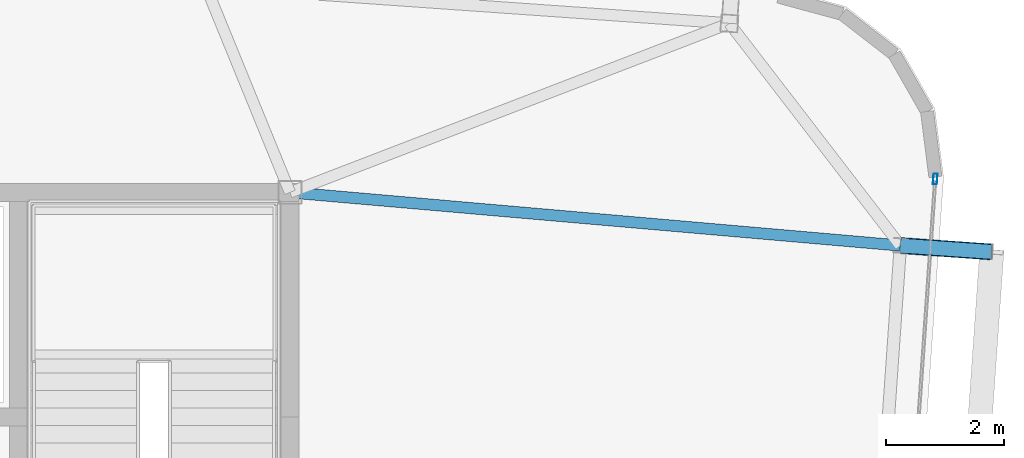
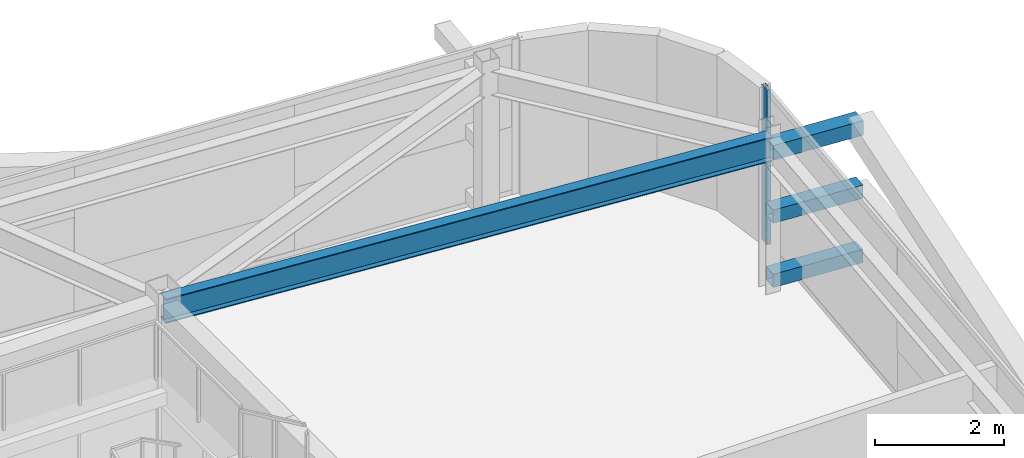
# One storey, part 18 of 39: 4 members, 1 beam, 1 element without a shape of its own.
"""IFC4 building model written with IfcOpenShell, lengths in metres."""

from ifc_helpers import new_model, si_unit, direction, frame, origin, origin_2d, place, context, subcontext, project, spatial, hollow_rectangle, i_section, extrude, source, transform, mapped, material, layer, layer_set, material_profile, profile_set, type_object, element, aggregate, save


model = new_model("IFC4")

# Units and contexts
model_context = context("Model", 3, precision=1e-05, world=origin(), true_north=direction((0.0, 1.0)))
body_context = subcontext(model_context, "Body", "Model", "MODEL_VIEW")
ifc_project = project(units=[si_unit("LENGTHUNIT", "METRE"), si_unit("AREAUNIT", "SQUARE_METRE"), si_unit("VOLUMEUNIT", "CUBIC_METRE"), si_unit("PLANEANGLEUNIT", "RADIAN"), si_unit("MASSUNIT", "GRAM", prefix="KILO")], contexts=[model_context])

# Site, building, storey
site_placement = place(None, origin())
site = spatial("IfcSite", under=ifc_project, at=site_placement, CompositionType="ELEMENT")
building_placement = place(site_placement, origin())
building = spatial("IfcBuilding", under=site, at=building_placement, Name="Taldren Reach Tower", CompositionType="ELEMENT")
storey_placement = place(building_placement, frame((0.0, 0.0, 155.050048828125)))
storey = spatial("IfcBuildingStorey", under=building, at=storey_placement, Name="L47", CompositionType="ELEMENT", Elevation=155.050048828125)

# Members
ifc_material_1 = material(Name="Steel Gr 450 (C450L0)", Category="steel")
ifc_material_profile_1 = material_profile(ifc_material_1, hollow_rectangle(XDim=0.27490234375, YDim=0.27490234375, WallThickness=0.00927734375, at=origin_2d()), Name="275x275x9.3SHS")
ifc_profile_set_1 = profile_set([ifc_material_profile_1], Name="Steel Gr 450 (C450L0)")
member_type_1 = type_object("IfcMemberType", Name="MB-TIE273", PredefinedType="STRUT", material=ifc_profile_set_1)
shared_shape_1 = source(origin(), body_context, "Body", "SweptSolid", [
    extrude(hollow_rectangle(XDim=0.27490234375, YDim=0.27490234375, WallThickness=0.00927734375, at=origin_2d()), origin(), (0.0, 0.0, 1.0), 1.550048828125),
])
member_1_placement = place(storey_placement, frame((61.3310546875, 31.1005859375, 2.64990234375), z_axis=(0.99756313426, -0.06976957191, 0.0), x_axis=(0.06976957191, 0.99756313426, 0.0)))
element("IfcMember", 1, at=member_1_placement, inside=storey, type_object=member_type_1, Name="Exoskeleton diaphragm tie strut B3-E3 L47", PredefinedType="STRUT", context=body_context, shape_type="MappedRepresentation", body=[
    mapped(shared_shape_1, transform((0.0, 0.0, 0.0), scale=1.0)),
])
ifc_material_2 = material(Name="Steel Gr 350 (C350L0)", Category="steel")
ifc_material_profile_2 = material_profile(ifc_material_2, hollow_rectangle(XDim=0.25, YDim=0.25, WallThickness=0.010009765625, at=origin_2d()), Name="250x250x10.0SHS")
ifc_profile_set_2 = profile_set([ifc_material_profile_2], Name="Steel Gr 350 (C350L0)")
member_type_2 = type_object("IfcMemberType", Name="MB-POST250", PredefinedType="POST", material=ifc_profile_set_2)
shared_shape_2 = source(origin(), body_context, "Body", "SweptSolid", [
    extrude(hollow_rectangle(XDim=0.25, YDim=0.25, WallThickness=0.010009765625, at=origin_2d()), origin(), (0.0, 0.0, 1.0), 1.550048828125),
])
for number, where, z_axis, x_axis, name in (
    (2, (61.3310546875, 31.1005859375, 0.219970703125), (0.99756313426, -0.06976957191, 0.0), (0.06976957191, 0.99756313426, 0.0), "Exoskeleton base diaphragm tie strut B3-E3 L47"),
    (3, (61.3310546875, 31.1005859375, 1.43505859375), (0.99756313426, -0.06976957191, 0.0), (0.06976957191, 0.99756313426, 0.0), "Exoskeleton mid-tier diaphragm tie B3-E3 L47"),
):
    element("IfcMember", number, at=place(storey_placement, frame(where, z_axis=z_axis, x_axis=x_axis)), inside=storey, type_object=member_type_2, Name=name, PredefinedType="POST", context=body_context, shape_type="MappedRepresentation", body=[
        mapped(shared_shape_2, transform((0.0, 0.0, 0.0), scale=1.0)),
    ])

# Beam
ifc_material_3 = material(Name="Steel Gr 350 (350PLUS)", Category="steel")
ifc_material_profile_3 = material_profile(ifc_material_3, i_section(OverallWidth=0.19091796875, OverallDepth=0.4599609375, WebThickness=0.010009765625, FlangeThickness=0.01611328125, at=origin_2d()), Name="460UB82.1")
ifc_profile_set_3 = profile_set([ifc_material_profile_3], Name="Steel Gr 350 (350PLUS)")
beam_type = type_object("IfcBeamType", Name="BM-UB460A", PredefinedType="BEAM", material=ifc_profile_set_3)
shared_shape_3 = source(origin(), body_context, "Body", "SweptSolid", [
    extrude(i_section(OverallWidth=0.19091796875, OverallDepth=0.4599609375, WebThickness=0.010009765625, FlangeThickness=0.01611328125, at=origin_2d()), origin(), (0.0, 0.0, 1.0), 10.3701171875),
])
beam_placement = place(storey_placement, frame((51.0, 32.0, 2.699951171875), z_axis=(0.996231748992, -0.086731207186, 0.0), x_axis=(0.086731207186, 0.996231748992, 0.0)))
element("IfcBeam", 4, at=beam_placement, inside=storey, type_object=beam_type, Name="Primary floor girder B3-E3 L47", PredefinedType="BEAM", context=body_context, shape_type="MappedRepresentation", body=[
    mapped(shared_shape_3, transform((0.0, 0.0, 0.0), scale=1.0)),
])

# Curtain wall, member
ifc_material_4 = material(Name="Aluminium and Low-E Glass Unitised System", Category="aluminium")
ifc_layer = layer(ifc_material_4, 0.159912109375)
ifc_layer_set = layer_set([ifc_layer], Name="Aluminium and Low-E Glass Unitised System")
curtain_wall_type = type_object("IfcCurtainWallType", Name="CW-SYS-4", PredefinedType="NOTDEFINED", material=ifc_layer_set)
curtain_wall_placement = place(storey_placement, origin())
curtain_wall = element("IfcCurtainWall", 5, at=curtain_wall_placement, inside=storey, type_object=curtain_wall_type, Name="Unitised curtain wall CW-L47-E", PredefinedType="NOTDEFINED")
ifc_material_5 = material(Name="Anodised Aluminium 6063-T6", Category="aluminium")
ifc_material_profile_4 = material_profile(ifc_material_5, hollow_rectangle(XDim=0.070068359375, YDim=0.179931640625, WallThickness=0.00390625, at=origin_2d()), Name="ALU-180x70x4RHS")
ifc_profile_set_4 = profile_set([ifc_material_profile_4], Name="Anodised Aluminium 6063-T6")
member_type_3 = type_object("IfcMemberType", Name="CW-MUL-180", PredefinedType="MULLION", material=ifc_profile_set_4)
shared_shape_4 = source(origin(), body_context, "Body", "SweptSolid", [
    extrude(hollow_rectangle(XDim=0.070068359375, YDim=0.179931640625, WallThickness=0.00390625, at=origin_2d()), origin(), (0.0, 0.0, 1.0), 2.929931640625),
])
member_2_placement = place(storey_placement, frame((61.921142578125, 32.22705078125, 0.0), z_axis=(0.0, 0.0, 1.0), x_axis=(-0.997564052812, 0.069756437251, 0.0)))
member_2 = element("IfcMember", 6, at=member_2_placement, type_object=member_type_3, Name="CW-4 mullion 3", PredefinedType="MULLION", context=body_context, shape_type="MappedRepresentation", body=[
    mapped(shared_shape_4, transform((0.0, 0.0, 0.0), scale=1.0)),
])
aggregate(curtain_wall, [member_2])

save(model, "model.ifc")
